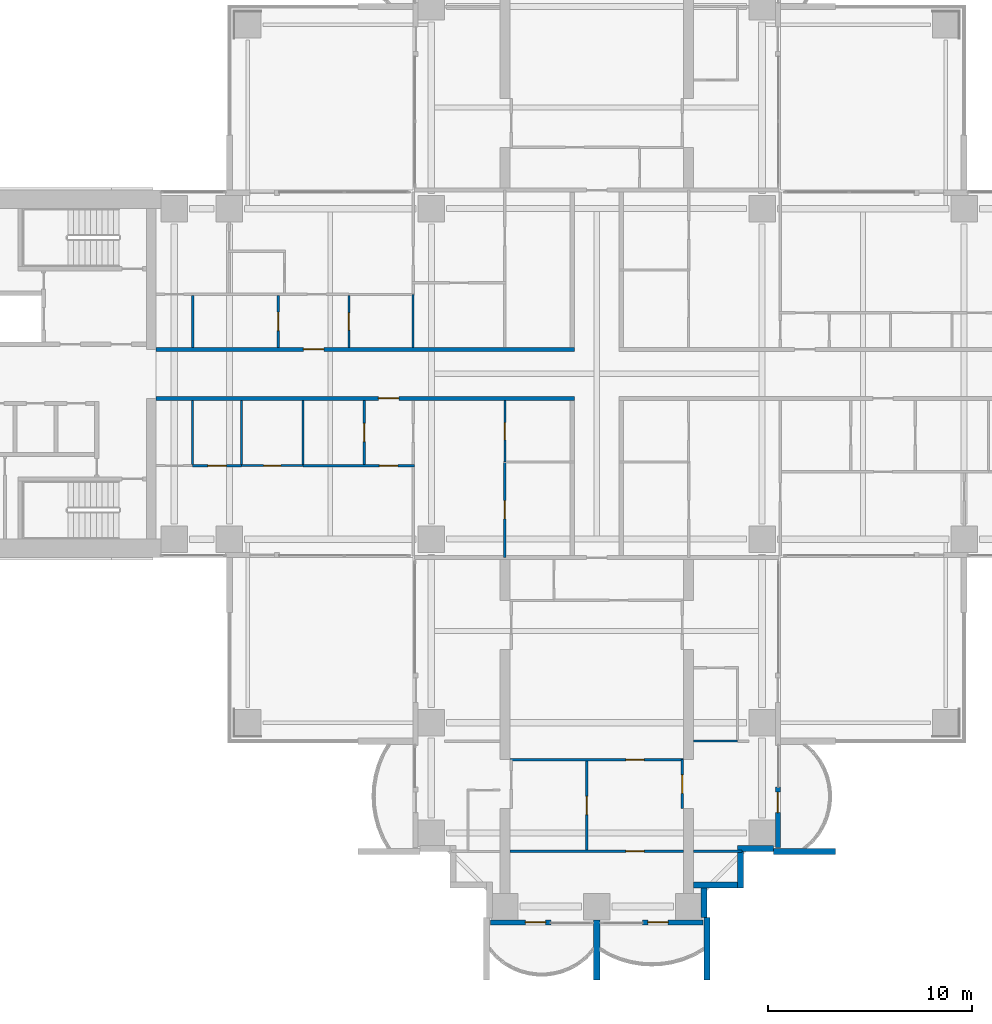
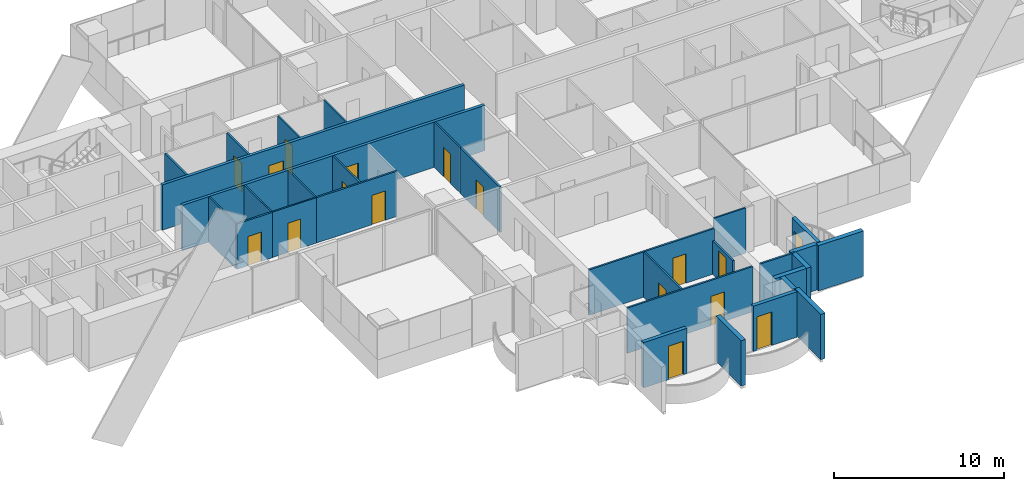
# One storey, part 12 of 23: 31 walls, 17 doors, 17 openings.
"""IFC4 building model written with IfcOpenShell, lengths in metres."""

from ifc_helpers import new_model, si_unit, direction, frame, frame_2d, origin, place, context, subcontext, project, spatial, rectangle, extrude, material, layer, layer_set, type_object, element, fill, save


model = new_model("IFC4")

# Units and contexts
model_context = context("Model", 3, precision=1e-05, world=origin(), true_north=direction((0.0, 1.0)))
body_context = subcontext(model_context, "Body", "Model", "MODEL_VIEW")
ifc_project = project(units=[si_unit("LENGTHUNIT", "METRE"), si_unit("AREAUNIT", "SQUARE_METRE"), si_unit("VOLUMEUNIT", "CUBIC_METRE"), si_unit("PLANEANGLEUNIT", "RADIAN"), si_unit("MASSUNIT", "GRAM", prefix="KILO")], contexts=[model_context])

# Site, building, storey
site_placement = place(None, origin())
site = spatial("IfcSite", under=ifc_project, at=site_placement, CompositionType="ELEMENT")
building_placement = place(site_placement, origin())
building = spatial("IfcBuilding", under=site, at=building_placement, Name="Perihelion Cross Residences", CompositionType="ELEMENT")
storey_placement = place(building_placement, frame((0.0, 0.0, 36.5)))
storey = spatial("IfcBuildingStorey", under=building, at=storey_placement, Name="L05", CompositionType="ELEMENT", Elevation=36.5)

# Wall, opening, door
ifc_material_1 = material(Name="Plasterboard partition")
ifc_layer_1 = layer(ifc_material_1, 0.199951171875)
ifc_layer_set_1 = layer_set([ifc_layer_1], Name="Apartment separation wall 200")
wall_type_1 = type_object("IfcWallType", Name="Apartment separation wall 200", PredefinedType="PARTITIONING", material=ifc_layer_set_1)
wall_1_placement = place(storey_placement, frame((-21.60009765625, 1.199951171875, 0.0), z_axis=(0.0, 0.0, 1.0), x_axis=(1.0, 0.0, 0.0)))
wall_1 = element("IfcWall", 1, at=wall_1_placement, inside=storey, type_object=wall_type_1, Name="Partition L05 W005", PredefinedType="PARTITIONING", context=body_context, shape_type="SweptSolid", body=[
    extrude(rectangle(XDim=20.5, YDim=0.199951171875, at=frame_2d((10.25, 0.0))), origin(), (0.0, 0.0, 1.0), 3.25),
])
opening_1_placement = place(wall_1_placement, frame((7.22509765625, 0.0, 0.0)))
opening_1 = element("IfcOpeningElement", 2, at=opening_1_placement, cuts=wall_1, Name="Opening L05.A52", PredefinedType="OPENING", context=body_context, shape_type="SweptSolid", body=[
    extrude(rectangle(XDim=1.0, YDim=2.10009765625, at=frame_2d((0.5, 1.050048828125))), frame((0.0, 0.10986328125, 0.0), z_axis=(0.0, -1.0, 0.0), x_axis=(1.0, 0.0, 0.0)), (0.0, 0.0, 1.0), 0.219970703125),
])
ifc_material_2 = material(Name="Timber door leaf", Category="wood")
door_type_1 = type_object("IfcDoorType", Name="Flat entrance door 1000 x 2100", OperationType="SINGLE_SWING_LEFT", PredefinedType="DOOR", material=ifc_material_2)
door_1_placement = place(opening_1_placement, origin())
door_1 = element("IfcDoor", 3, at=door_1_placement, inside=storey, type_object=door_type_1, Name="Door L05.A52", OperationType="SINGLE_SWING_RIGHT", OverallHeight=2.10009765625, OverallWidth=1.0, PredefinedType="DOOR", context=body_context, shape_type="SweptSolid", body=[
    extrude(rectangle(XDim=1.0, YDim=2.10009765625, at=frame_2d((0.5, 1.050048828125))), frame((0.0, 0.02490234375, 0.0), z_axis=(0.0, -1.0, 0.0), x_axis=(1.0, 0.0, 0.0)), (0.0, 0.0, 1.0), 0.050048828125),
])
fill(opening_1, door_1)

wall_2_placement = place(storey_placement, frame((-1.10009765625, -1.199951171875, 0.0), z_axis=(0.0, 0.0, 1.0), x_axis=(-1.0, 0.0, 0.0)))
wall_2 = element("IfcWall", 4, at=wall_2_placement, inside=storey, type_object=wall_type_1, Name="Partition L05 W007", PredefinedType="PARTITIONING", context=body_context, shape_type="SweptSolid", body=[
    extrude(rectangle(XDim=20.5, YDim=0.199951171875, at=frame_2d((10.25, 0.0))), origin(), (0.0, 0.0, 1.0), 3.25),
])
opening_2_placement = place(wall_2_placement, frame((8.60009765625, 0.0, 0.0)))
opening_2 = element("IfcOpeningElement", 5, at=opening_2_placement, cuts=wall_2, Name="Opening L05.A53", PredefinedType="OPENING", context=body_context, shape_type="SweptSolid", body=[
    extrude(rectangle(XDim=1.0, YDim=2.10009765625, at=frame_2d((0.5, 1.050048828125))), frame((0.0, 0.10986328125, 0.0), z_axis=(0.0, -1.0, 0.0), x_axis=(1.0, 0.0, 0.0)), (0.0, 0.0, 1.0), 0.219970703125),
])
door_2_placement = place(opening_2_placement, origin())
door_2 = element("IfcDoor", 6, at=door_2_placement, inside=storey, type_object=door_type_1, Name="Door L05.A53", OperationType="SINGLE_SWING_LEFT", OverallHeight=2.10009765625, OverallWidth=1.0, PredefinedType="DOOR", context=body_context, shape_type="SweptSolid", body=[
    extrude(rectangle(XDim=1.0, YDim=2.10009765625, at=frame_2d((0.5, 1.050048828125))), frame((0.0, 0.02490234375, 0.0), z_axis=(0.0, -1.0, 0.0), x_axis=(1.0, 0.0, 0.0)), (0.0, 0.0, 1.0), 0.050048828125),
])
fill(opening_2, door_2)

ifc_material_3 = material(Name="Concrete C30/37, bronze-clad", Category="concrete")
ifc_layer_2 = layer(ifc_material_3, 0.25)
ifc_layer_set_2 = layer_set([ifc_layer_2], Name="Bronze-clad pier wall 250")
wall_type_2 = type_object("IfcWallType", Name="Bronze-clad pier wall 250", PredefinedType="SOLIDWALL", material=ifc_layer_set_2)
wall_3_placement = place(storey_placement, frame((-5.199951171875, -26.875, 0.0), z_axis=(0.0, 0.0, 1.0), x_axis=(1.0, 0.0, 0.0)))
wall_3 = element("IfcWall", 7, at=wall_3_placement, inside=storey, type_object=wall_type_2, Name="Wall FW1 L05 south tip south bay 1 pier", PredefinedType="SOLIDWALL", context=body_context, shape_type="SweptSolid", body=[
    extrude(rectangle(XDim=2.949951171875, YDim=0.25, at=frame_2d((1.47509765625, 0.0))), origin(), (0.0, 0.0, 1.0), 3.25),
])
opening_3_placement = place(wall_3_placement, frame((1.699951171875, 0.0, 0.0)))
opening_3 = element("IfcOpeningElement", 8, at=opening_3_placement, cuts=wall_3, Name="Opening L05.E12", PredefinedType="OPENING", context=body_context, shape_type="SweptSolid", body=[
    extrude(rectangle(XDim=1.0, YDim=2.39990234375, at=frame_2d((0.5, 1.199951171875))), frame((0.0, 0.135009765625, 0.0), z_axis=(0.0, -1.0, 0.0), x_axis=(1.0, 0.0, 0.0)), (0.0, 0.0, 1.0), 0.27001953125),
])
ifc_material_4 = material(Name="Bronze anodised aluminium, glazed", Category="aluminium")
door_type_2 = type_object("IfcDoorType", Name="Balcony door 1000 x 2400", OperationType="NOTDEFINED", PredefinedType="DOOR", material=ifc_material_4)
door_3_placement = place(opening_3_placement, origin())
door_3 = element("IfcDoor", 9, at=door_3_placement, inside=storey, type_object=door_type_2, Name="Door L05.E12 south tip south bay 1", OperationType="SINGLE_SWING_LEFT", OverallHeight=2.39990234375, OverallWidth=1.0, PredefinedType="DOOR", context=body_context, shape_type="SweptSolid", body=[
    extrude(rectangle(XDim=1.0, YDim=2.39990234375, at=frame_2d((0.5, 1.199951171875))), frame((0.0, 0.02490234375, 0.0), z_axis=(0.0, -1.0, 0.0), x_axis=(1.0, 0.0, 0.0)), (0.0, 0.0, 1.0), 0.050048828125),
])
fill(opening_3, door_3)

wall_4_placement = place(storey_placement, frame((2.25, -26.875, 0.0), z_axis=(0.0, 0.0, 1.0), x_axis=(1.0, 0.0, 0.0)))
wall_4 = element("IfcWall", 10, at=wall_4_placement, inside=storey, type_object=wall_type_2, Name="Wall FW1 L05 south tip south bay 2 pier", PredefinedType="SOLIDWALL", context=body_context, shape_type="SweptSolid", body=[
    extrude(rectangle(XDim=2.949951171875, YDim=0.25, at=frame_2d((1.47509765625, 0.0))), origin(), (0.0, 0.0, 1.0), 3.25),
])
opening_4_placement = place(wall_4_placement, frame((0.25, 0.0, 0.0)))
opening_4 = element("IfcOpeningElement", 11, at=opening_4_placement, cuts=wall_4, Name="Opening L05.E13", PredefinedType="OPENING", context=body_context, shape_type="SweptSolid", body=[
    extrude(rectangle(XDim=1.0, YDim=2.39990234375, at=frame_2d((0.5, 1.199951171875))), frame((0.0, 0.135009765625, 0.0), z_axis=(0.0, -1.0, 0.0), x_axis=(1.0, 0.0, 0.0)), (0.0, 0.0, 1.0), 0.27001953125),
])
door_4_placement = place(opening_4_placement, origin())
door_4 = element("IfcDoor", 12, at=door_4_placement, inside=storey, type_object=door_type_2, Name="Door L05.E13 south tip south bay 2", OperationType="SINGLE_SWING_RIGHT", OverallHeight=2.39990234375, OverallWidth=1.0, PredefinedType="DOOR", context=body_context, shape_type="SweptSolid", body=[
    extrude(rectangle(XDim=1.0, YDim=2.39990234375, at=frame_2d((0.5, 1.199951171875))), frame((0.0, 0.02490234375, 0.0), z_axis=(0.0, -1.0, 0.0), x_axis=(1.0, 0.0, 0.0)), (0.0, 0.0, 1.0), 0.050048828125),
])
fill(opening_4, door_4)

wall_5_placement = place(storey_placement, frame((8.875, -23.199951171875, 0.0), z_axis=(0.0, 0.0, 1.0), x_axis=(0.0, 1.0, 0.0)))
wall_5 = element("IfcWall", 13, at=wall_5_placement, inside=storey, type_object=wall_type_2, Name="Wall FW1 L05 south side east bay 1 pier", PredefinedType="SOLIDWALL", context=body_context, shape_type="SweptSolid", body=[
    extrude(rectangle(XDim=2.949951171875, YDim=0.25, at=frame_2d((1.47509765625, 0.0))), origin(), (0.0, 0.0, 1.0), 3.25),
])
opening_5_placement = place(wall_5_placement, frame((1.699951171875, 0.0, 0.0)))
opening_5 = element("IfcOpeningElement", 14, at=opening_5_placement, cuts=wall_5, Name="Opening L05.E14", PredefinedType="OPENING", context=body_context, shape_type="SweptSolid", body=[
    extrude(rectangle(XDim=1.0, YDim=2.39990234375, at=frame_2d((0.5, 1.199951171875))), frame((0.0, 0.135009765625, 0.0), z_axis=(0.0, -1.0, 0.0), x_axis=(1.0, 0.0, 0.0)), (0.0, 0.0, 1.0), 0.27001953125),
])
door_5_placement = place(opening_5_placement, origin())
door_5 = element("IfcDoor", 15, at=door_5_placement, inside=storey, type_object=door_type_2, Name="Door L05.E14 south side east bay 1", OperationType="SINGLE_SWING_LEFT", OverallHeight=2.39990234375, OverallWidth=1.0, PredefinedType="DOOR", context=body_context, shape_type="SweptSolid", body=[
    extrude(rectangle(XDim=1.0, YDim=2.39990234375, at=frame_2d((0.5, 1.199951171875))), frame((0.0, 0.02490234375, 0.0), z_axis=(0.0, -1.0, 0.0), x_axis=(1.0, 0.0, 0.0)), (0.0, 0.0, 1.0), 0.050048828125),
])
fill(opening_5, door_5)

# Walls
ifc_material_5 = material(Name="Concrete C30/37, bronze-clad", Category="concrete")
ifc_layer_3 = layer(ifc_material_5, 0.300048828125)
ifc_layer_set_3 = layer_set([ifc_layer_3], Name="Bronze-clad serration wall 300")
wall_type_3 = type_object("IfcWallType", Name="Bronze-clad serration wall 300", PredefinedType="SOLIDWALL", material=ifc_layer_set_3)
wall_6_placement = place(storey_placement, frame((5.25, -26.64990234375, 0.0), z_axis=(0.0, 0.0, 1.0), x_axis=(0.0, 1.0, 0.0)))
element("IfcWall", 16, at=wall_6_placement, inside=storey, type_object=wall_type_3, Name="Wall SR1 L05 south corner south-east 1", PredefinedType="SOLIDWALL", context=body_context, shape_type="SweptSolid", body=[
    extrude(rectangle(XDim=1.449951171875, YDim=0.300048828125, at=frame_2d((0.72509765625, 0.0))), origin(), (0.0, 0.0, 1.0), 3.25),
])
wall_7_placement = place(storey_placement, frame((4.75, -25.050048828125, 0.0), z_axis=(0.0, 0.0, 1.0), x_axis=(1.0, 0.0, 0.0)))
element("IfcWall", 17, at=wall_7_placement, inside=storey, type_object=wall_type_3, Name="Wall SR1 L05 south corner south-east 2", PredefinedType="SOLIDWALL", context=body_context, shape_type="SweptSolid", body=[
    extrude(rectangle(XDim=2.14990234375, YDim=0.300048828125, at=frame_2d((1.074951171875, 0.0))), origin(), (0.0, 0.0, 1.0), 3.25),
])
wall_8_placement = place(storey_placement, frame((7.050048828125, -25.199951171875, 0.0), z_axis=(0.0, 0.0, 1.0), x_axis=(0.0, 1.0, 0.0)))
element("IfcWall", 18, at=wall_8_placement, inside=storey, type_object=wall_type_3, Name="Wall SR1 L05 south corner south-east 3", PredefinedType="SOLIDWALL", context=body_context, shape_type="SweptSolid", body=[
    extrude(rectangle(XDim=1.800048828125, YDim=0.300048828125, at=frame_2d((0.89990234375, 0.0))), origin(), (0.0, 0.0, 1.0), 3.25),
])
wall_9_placement = place(storey_placement, frame((6.89990234375, -23.25, 0.0), z_axis=(0.0, 0.0, 1.0), x_axis=(1.0, 0.0, 0.0)))
element("IfcWall", 19, at=wall_9_placement, inside=storey, type_object=wall_type_3, Name="Wall SR1 L05 south corner south-east 4", PredefinedType="SOLIDWALL", context=body_context, shape_type="SweptSolid", body=[
    extrude(rectangle(XDim=1.75, YDim=0.300048828125, at=frame_2d((0.875, 0.0))), origin(), (0.0, 0.0, 1.0), 3.25),
])

# Wall, opening, door
ifc_material_6 = material(Name="Plasterboard partition")
ifc_layer_4 = layer(ifc_material_6, 0.1201171875)
ifc_layer_set_4 = layer_set([ifc_layer_4], Name="Infill panel 120")
wall_type_4 = type_object("IfcWallType", Name="Infill panel 120", PredefinedType="PARTITIONING", material=ifc_layer_set_4)
wall_10_placement = place(storey_placement, frame((4.18994140625, -18.89990234375, 0.0), z_axis=(0.0, 0.0, 1.0), x_axis=(0.0, -1.0, 0.0)))
wall_10 = element("IfcWall", 20, at=wall_10_placement, inside=storey, type_object=wall_type_4, Name="Partition L05 WI06", PredefinedType="PARTITIONING", context=body_context, shape_type="SweptSolid", body=[
    extrude(rectangle(XDim=2.400146484375, YDim=0.1201171875, at=frame_2d((1.2001953125, 0.0))), origin(), (0.0, 0.0, 1.0), 2.39990234375),
])
opening_6_placement = place(wall_10_placement, frame((0.75, 0.0, 0.0)))
opening_6 = element("IfcOpeningElement", 21, at=opening_6_placement, cuts=wall_10, Name="Opening L05.A59", PredefinedType="OPENING", context=body_context, shape_type="SweptSolid", body=[
    extrude(rectangle(XDim=0.89990234375, YDim=2.10009765625, at=frame_2d((0.449951171875, 1.050048828125))), frame((0.0, 0.070068359375, 0.0), z_axis=(0.0, -1.0, 0.0), x_axis=(1.0, 0.0, 0.0)), (0.0, 0.0, 1.0), 0.14013671875),
])
ifc_material_7 = material(Name="Timber door leaf", Category="wood")
door_type_3 = type_object("IfcDoorType", Name="Interior room door 900 x 2100", OperationType="SINGLE_SWING_LEFT", PredefinedType="DOOR", material=ifc_material_7)
door_6_placement = place(opening_6_placement, origin())
door_6 = element("IfcDoor", 22, at=door_6_placement, inside=storey, type_object=door_type_3, Name="Door L05.A59", OperationType="SINGLE_SWING_RIGHT", OverallHeight=2.10009765625, OverallWidth=0.89990234375, PredefinedType="DOOR", context=body_context, shape_type="SweptSolid", body=[
    extrude(rectangle(XDim=0.89990234375, YDim=2.10009765625, at=frame_2d((0.449951171875, 1.050048828125))), frame((0.0, 0.02490234375, 0.0), z_axis=(0.0, -1.0, 0.0), x_axis=(1.0, 0.0, 0.0)), (0.0, 0.0, 1.0), 0.050048828125),
])
fill(opening_6, door_6)

ifc_material_8 = material(Name="Plasterboard partition")
ifc_layer_5 = layer(ifc_material_8, 0.1201171875)
ifc_layer_set_5 = layer_set([ifc_layer_5], Name="Partition wall 120")
wall_type_5 = type_object("IfcWallType", Name="Partition wall 120", PredefinedType="PARTITIONING", material=ifc_layer_set_5)
wall_11_placement = place(storey_placement, frame((-15.60009765625, 1.300048828125, 0.0), z_axis=(0.0, 0.0, 1.0), x_axis=(0.0, 1.0, 0.0)))
wall_11 = element("IfcWall", 23, at=wall_11_placement, inside=storey, type_object=wall_type_5, Name="Partition L05 W036", PredefinedType="PARTITIONING", context=body_context, shape_type="SweptSolid", body=[
    extrude(rectangle(XDim=2.5400390625, YDim=0.1201171875, at=frame_2d((1.27001953125, 0.0))), origin(), (0.0, 0.0, 1.0), 3.25),
])
opening_7_placement = place(wall_11_placement, frame((0.820068359375, 0.0, 0.0)))
opening_7 = element("IfcOpeningElement", 24, at=opening_7_placement, cuts=wall_11, Name="Opening L05.A18", PredefinedType="OPENING", context=body_context, shape_type="SweptSolid", body=[
    extrude(rectangle(XDim=0.89990234375, YDim=2.10009765625, at=frame_2d((0.449951171875, 1.050048828125))), frame((0.0, 0.070068359375, 0.0), z_axis=(0.0, -1.0, 0.0), x_axis=(1.0, 0.0, 0.0)), (0.0, 0.0, 1.0), 0.14013671875),
])
door_7_placement = place(opening_7_placement, origin())
door_7 = element("IfcDoor", 25, at=door_7_placement, inside=storey, type_object=door_type_3, Name="Door L05.A18", OperationType="SINGLE_SWING_RIGHT", OverallHeight=2.10009765625, OverallWidth=0.89990234375, PredefinedType="DOOR", context=body_context, shape_type="SweptSolid", body=[
    extrude(rectangle(XDim=0.89990234375, YDim=2.10009765625, at=frame_2d((0.449951171875, 1.050048828125))), frame((0.0, 0.02490234375, 0.0), z_axis=(0.0, -1.0, 0.0), x_axis=(1.0, 0.0, 0.0)), (0.0, 0.0, 1.0), 0.050048828125),
])
fill(opening_7, door_7)

# Wall
wall_12_placement = place(storey_placement, frame((-19.800048828125, 1.300048828125, 0.0), z_axis=(0.0, 0.0, 1.0), x_axis=(0.0, 1.0, 0.0)))
element("IfcWall", 26, at=wall_12_placement, inside=storey, type_object=wall_type_5, Name="Partition L05 W038", PredefinedType="PARTITIONING", context=body_context, shape_type="SweptSolid", body=[
    extrude(rectangle(XDim=2.5400390625, YDim=0.1201171875, at=frame_2d((1.27001953125, 0.0))), origin(), (0.0, 0.0, 1.0), 3.25),
])

# Wall, opening, door
wall_13_placement = place(storey_placement, frame((-11.39990234375, -4.43994140625, 0.0), z_axis=(0.0, 0.0, 1.0), x_axis=(0.0, 1.0, 0.0)))
wall_13 = element("IfcWall", 27, at=wall_13_placement, inside=storey, type_object=wall_type_5, Name="Partition L05 W045", PredefinedType="PARTITIONING", context=body_context, shape_type="SweptSolid", body=[
    extrude(rectangle(XDim=3.139892578125, YDim=0.1201171875, at=frame_2d((1.56982421875, 0.0))), origin(), (0.0, 0.0, 1.0), 3.25),
])
opening_8_placement = place(wall_13_placement, frame((1.1201171875, 0.0, 0.0)))
opening_8 = element("IfcOpeningElement", 28, at=opening_8_placement, cuts=wall_13, Name="Opening L05.A27", PredefinedType="OPENING", context=body_context, shape_type="SweptSolid", body=[
    extrude(rectangle(XDim=0.89990234375, YDim=2.10009765625, at=frame_2d((0.449951171875, 1.050048828125))), frame((0.0, 0.070068359375, 0.0), z_axis=(0.0, -1.0, 0.0), x_axis=(1.0, 0.0, 0.0)), (0.0, 0.0, 1.0), 0.14013671875),
])
door_8_placement = place(opening_8_placement, origin())
door_8 = element("IfcDoor", 29, at=door_8_placement, inside=storey, type_object=door_type_3, Name="Door L05.A27", OperationType="SINGLE_SWING_RIGHT", OverallHeight=2.10009765625, OverallWidth=0.89990234375, PredefinedType="DOOR", context=body_context, shape_type="SweptSolid", body=[
    extrude(rectangle(XDim=0.89990234375, YDim=2.10009765625, at=frame_2d((0.449951171875, 1.050048828125))), frame((0.0, 0.02490234375, 0.0), z_axis=(0.0, -1.0, 0.0), x_axis=(1.0, 0.0, 0.0)), (0.0, 0.0, 1.0), 0.050048828125),
])
fill(opening_8, door_8)

wall_14_placement = place(storey_placement, frame((-8.93994140625, -4.5, 0.0), z_axis=(0.0, 0.0, 1.0), x_axis=(-1.0, 0.0, 0.0)))
wall_14 = element("IfcWall", 30, at=wall_14_placement, inside=storey, type_object=wall_type_5, Name="Partition L05 W046", PredefinedType="PARTITIONING", context=body_context, shape_type="SweptSolid", body=[
    extrude(rectangle(XDim=5.4599609375, YDim=0.1201171875, at=frame_2d((2.72998046875, 0.0))), origin(), (0.0, 0.0, 1.0), 3.25),
])
opening_9_placement = place(wall_14_placement, frame((0.81005859375, 0.0, 0.0)))
opening_9 = element("IfcOpeningElement", 31, at=opening_9_placement, cuts=wall_14, Name="Opening L05.A32", PredefinedType="OPENING", context=body_context, shape_type="SweptSolid", body=[
    extrude(rectangle(XDim=0.89990234375, YDim=2.10009765625, at=frame_2d((0.449951171875, 1.050048828125))), frame((0.0, 0.070068359375, 0.0), z_axis=(0.0, -1.0, 0.0), x_axis=(1.0, 0.0, 0.0)), (0.0, 0.0, 1.0), 0.14013671875),
])
door_9_placement = place(opening_9_placement, origin())
door_9 = element("IfcDoor", 32, at=door_9_placement, inside=storey, type_object=door_type_3, Name="Door L05.A32", OperationType="SINGLE_SWING_RIGHT", OverallHeight=2.10009765625, OverallWidth=0.89990234375, PredefinedType="DOOR", context=body_context, shape_type="SweptSolid", body=[
    extrude(rectangle(XDim=0.89990234375, YDim=2.10009765625, at=frame_2d((0.449951171875, 1.050048828125))), frame((0.0, 0.02490234375, 0.0), z_axis=(0.0, -1.0, 0.0), x_axis=(1.0, 0.0, 0.0)), (0.0, 0.0, 1.0), 0.050048828125),
])
fill(opening_9, door_9)

wall_15_placement = place(storey_placement, frame((-17.39990234375, -4.5, 0.0), z_axis=(0.0, 0.0, 1.0), x_axis=(-1.0, 0.0, 0.0)))
wall_15 = element("IfcWall", 33, at=wall_15_placement, inside=storey, type_object=wall_type_5, Name="Partition L05 W052", PredefinedType="PARTITIONING", context=body_context, shape_type="SweptSolid", body=[
    extrude(rectangle(XDim=2.400146484375, YDim=0.1201171875, at=frame_2d((1.2001953125, 0.0))), origin(), (0.0, 0.0, 1.0), 3.25),
])
opening_10_placement = place(wall_15_placement, frame((0.75, 0.0, 0.0)))
opening_10 = element("IfcOpeningElement", 34, at=opening_10_placement, cuts=wall_15, Name="Opening L05.A33", PredefinedType="OPENING", context=body_context, shape_type="SweptSolid", body=[
    extrude(rectangle(XDim=0.89990234375, YDim=2.10009765625, at=frame_2d((0.449951171875, 1.050048828125))), frame((0.0, 0.070068359375, 0.0), z_axis=(0.0, -1.0, 0.0), x_axis=(1.0, 0.0, 0.0)), (0.0, 0.0, 1.0), 0.14013671875),
])
door_10_placement = place(opening_10_placement, origin())
door_10 = element("IfcDoor", 35, at=door_10_placement, inside=storey, type_object=door_type_3, Name="Door L05.A33", OperationType="SINGLE_SWING_RIGHT", OverallHeight=2.10009765625, OverallWidth=0.89990234375, PredefinedType="DOOR", context=body_context, shape_type="SweptSolid", body=[
    extrude(rectangle(XDim=0.89990234375, YDim=2.10009765625, at=frame_2d((0.449951171875, 1.050048828125))), frame((0.0, 0.02490234375, 0.0), z_axis=(0.0, -1.0, 0.0), x_axis=(1.0, 0.0, 0.0)), (0.0, 0.0, 1.0), 0.050048828125),
])
fill(opening_10, door_10)

wall_16_placement = place(storey_placement, frame((-4.5, -4.320068359375, 0.0), z_axis=(0.0, 0.0, 1.0), x_axis=(0.0, -1.0, 0.0)))
wall_16 = element("IfcWall", 36, at=wall_16_placement, inside=storey, type_object=wall_type_5, Name="Partition L05 W055", PredefinedType="PARTITIONING", context=body_context, shape_type="SweptSolid", body=[
    extrude(rectangle(XDim=4.679931640625, YDim=0.1201171875, at=frame_2d((2.33984375, 0.0))), origin(), (0.0, 0.0, 1.0), 3.25),
])
opening_11_placement = place(wall_16_placement, frame((1.889892578125, 0.0, 0.0)))
opening_11 = element("IfcOpeningElement", 37, at=opening_11_placement, cuts=wall_16, Name="Opening L05.A29", PredefinedType="OPENING", context=body_context, shape_type="SweptSolid", body=[
    extrude(rectangle(XDim=0.89990234375, YDim=2.10009765625, at=frame_2d((0.449951171875, 1.050048828125))), frame((0.0, 0.070068359375, 0.0), z_axis=(0.0, -1.0, 0.0), x_axis=(1.0, 0.0, 0.0)), (0.0, 0.0, 1.0), 0.14013671875),
])
door_11_placement = place(opening_11_placement, origin())
door_11 = element("IfcDoor", 38, at=door_11_placement, inside=storey, type_object=door_type_3, Name="Door L05.A29", OperationType="SINGLE_SWING_RIGHT", OverallHeight=2.10009765625, OverallWidth=0.89990234375, PredefinedType="DOOR", context=body_context, shape_type="SweptSolid", body=[
    extrude(rectangle(XDim=0.89990234375, YDim=2.10009765625, at=frame_2d((0.449951171875, 1.050048828125))), frame((0.0, 0.02490234375, 0.0), z_axis=(0.0, -1.0, 0.0), x_axis=(1.0, 0.0, 0.0)), (0.0, 0.0, 1.0), 0.050048828125),
])
fill(opening_11, door_11)

wall_17_placement = place(storey_placement, frame((4.25, -18.89990234375, 0.0), z_axis=(0.0, 0.0, 1.0), x_axis=(-1.0, 0.0, 0.0)))
wall_17 = element("IfcWall", 39, at=wall_17_placement, inside=storey, type_object=wall_type_5, Name="Partition L05 W075", PredefinedType="PARTITIONING", context=body_context, shape_type="SweptSolid", body=[
    extrude(rectangle(XDim=8.5, YDim=0.1201171875, at=frame_2d((4.25, 0.0))), origin(), (0.0, 0.0, 1.0), 3.25),
])
opening_12_placement = place(wall_17_placement, frame((1.925048828125, 0.0, 0.0)))
opening_12 = element("IfcOpeningElement", 40, at=opening_12_placement, cuts=wall_17, Name="Opening L05.A45", PredefinedType="OPENING", context=body_context, shape_type="SweptSolid", body=[
    extrude(rectangle(XDim=0.89990234375, YDim=2.10009765625, at=frame_2d((0.449951171875, 1.050048828125))), frame((0.0, 0.070068359375, 0.0), z_axis=(0.0, -1.0, 0.0), x_axis=(1.0, 0.0, 0.0)), (0.0, 0.0, 1.0), 0.14013671875),
])
door_12_placement = place(opening_12_placement, origin())
door_12 = element("IfcDoor", 41, at=door_12_placement, inside=storey, type_object=door_type_3, Name="Door L05.A45", OperationType="SINGLE_SWING_RIGHT", OverallHeight=2.10009765625, OverallWidth=0.89990234375, PredefinedType="DOOR", context=body_context, shape_type="SweptSolid", body=[
    extrude(rectangle(XDim=0.89990234375, YDim=2.10009765625, at=frame_2d((0.449951171875, 1.050048828125))), frame((0.0, 0.02490234375, 0.0), z_axis=(0.0, -1.0, 0.0), x_axis=(1.0, 0.0, 0.0)), (0.0, 0.0, 1.0), 0.050048828125),
])
fill(opening_12, door_12)

wall_18_placement = place(storey_placement, frame((-0.5, -23.340087890625, 0.0), z_axis=(0.0, 0.0, 1.0), x_axis=(0.0, 1.0, 0.0)))
wall_18 = element("IfcWall", 42, at=wall_18_placement, inside=storey, type_object=wall_type_5, Name="Partition L05 W076", PredefinedType="PARTITIONING", context=body_context, shape_type="SweptSolid", body=[
    extrude(rectangle(XDim=4.380126953125, YDim=0.1201171875, at=frame_2d((2.18994140625, 0.0))), origin(), (0.0, 0.0, 1.0), 3.25),
])
opening_13_placement = place(wall_18_placement, frame((1.739990234375, 0.0, 0.0)))
opening_13 = element("IfcOpeningElement", 43, at=opening_13_placement, cuts=wall_18, Name="Opening L05.A46", PredefinedType="OPENING", context=body_context, shape_type="SweptSolid", body=[
    extrude(rectangle(XDim=0.89990234375, YDim=2.10009765625, at=frame_2d((0.449951171875, 1.050048828125))), frame((0.0, 0.070068359375, 0.0), z_axis=(0.0, -1.0, 0.0), x_axis=(1.0, 0.0, 0.0)), (0.0, 0.0, 1.0), 0.14013671875),
])
door_13_placement = place(opening_13_placement, origin())
door_13 = element("IfcDoor", 44, at=door_13_placement, inside=storey, type_object=door_type_3, Name="Door L05.A46", OperationType="SINGLE_SWING_LEFT", OverallHeight=2.10009765625, OverallWidth=0.89990234375, PredefinedType="DOOR", context=body_context, shape_type="SweptSolid", body=[
    extrude(rectangle(XDim=0.89990234375, YDim=2.10009765625, at=frame_2d((0.449951171875, 1.050048828125))), frame((0.0, 0.02490234375, 0.0), z_axis=(0.0, -1.0, 0.0), x_axis=(1.0, 0.0, 0.0)), (0.0, 0.0, 1.0), 0.050048828125),
])
fill(opening_13, door_13)

wall_19_placement = place(storey_placement, frame((4.25, -23.39990234375, 0.0), z_axis=(0.0, 0.0, 1.0), x_axis=(-1.0, 0.0, 0.0)))
wall_19 = element("IfcWall", 45, at=wall_19_placement, inside=storey, type_object=wall_type_5, Name="Partition L05 W077", PredefinedType="PARTITIONING", context=body_context, shape_type="SweptSolid", body=[
    extrude(rectangle(XDim=8.5, YDim=0.1201171875, at=frame_2d((4.25, 0.0))), origin(), (0.0, 0.0, 1.0), 3.25),
])
opening_14_placement = place(wall_19_placement, frame((1.925048828125, 0.0, 0.0)))
opening_14 = element("IfcOpeningElement", 46, at=opening_14_placement, cuts=wall_19, Name="Opening L05.A47", PredefinedType="OPENING", context=body_context, shape_type="SweptSolid", body=[
    extrude(rectangle(XDim=0.89990234375, YDim=2.10009765625, at=frame_2d((0.449951171875, 1.050048828125))), frame((0.0, 0.070068359375, 0.0), z_axis=(0.0, -1.0, 0.0), x_axis=(1.0, 0.0, 0.0)), (0.0, 0.0, 1.0), 0.14013671875),
])
door_14_placement = place(opening_14_placement, origin())
door_14 = element("IfcDoor", 47, at=door_14_placement, inside=storey, type_object=door_type_3, Name="Door L05.A47", OperationType="SINGLE_SWING_LEFT", OverallHeight=2.10009765625, OverallWidth=0.89990234375, PredefinedType="DOOR", context=body_context, shape_type="SweptSolid", body=[
    extrude(rectangle(XDim=0.89990234375, YDim=2.10009765625, at=frame_2d((0.449951171875, 1.050048828125))), frame((0.0, 0.02490234375, 0.0), z_axis=(0.0, -1.0, 0.0), x_axis=(1.0, 0.0, 0.0)), (0.0, 0.0, 1.0), 0.050048828125),
])
fill(opening_14, door_14)

# Walls
wall_20_placement = place(storey_placement, frame((7.1201171875, -23.39990234375, 0.0), z_axis=(0.0, 0.0, 1.0), x_axis=(-1.0, 0.0, 0.0)))
element("IfcWall", 48, at=wall_20_placement, inside=storey, type_object=wall_type_5, Name="Partition L05 W082", PredefinedType="PARTITIONING", context=body_context, shape_type="SweptSolid", body=[
    extrude(rectangle(XDim=2.3701171875, YDim=0.1201171875, at=frame_2d((1.18505859375, 0.0))), origin(), (0.0, 0.0, 1.0), 3.25),
])
ifc_material_9 = material(Name="Precast concrete C50/60", Category="concrete")
ifc_layer_6 = layer(ifc_material_9, 0.300048828125)
ifc_layer_set_6 = layer_set([ifc_layer_6], Name="Precast concrete C50/60 blade wall 300")
wall_type_6 = type_object("IfcWallType", Name="Precast concrete C50/60 blade wall 300", PredefinedType="SOLIDWALL", material=ifc_layer_set_6)
wall_21_placement = place(storey_placement, frame((0.0, -26.75, 0.0), z_axis=(0.0, 0.0, 1.0), x_axis=(0.0, -1.0, 0.0)))
element("IfcWall", 49, at=wall_21_placement, inside=storey, type_object=wall_type_6, Name="Wall BL1 L05 no. 9", PredefinedType="SOLIDWALL", context=body_context, shape_type="SweptSolid", body=[
    extrude(rectangle(XDim=2.949951171875, YDim=0.300048828125, at=frame_2d((1.47509765625, 0.0))), origin(), (0.0, 0.0, 1.0), 3.25),
])
for number, where, z_axis, x_axis, name in (
    (50, (5.39990234375, -26.64990234375, 0.0), (0.0, 0.0, 1.0), (0.0, -1.0, 0.0), "Wall BL1 L05 no. 13"),
    (51, (8.64990234375, -23.39990234375, 0.0), (0.0, 0.0, 1.0), (1.0, 0.0, 0.0), "Wall BL1 L05 no. 16"),
):
    element("IfcWall", number, at=place(storey_placement, frame(where, z_axis=z_axis, x_axis=x_axis)), inside=storey, type_object=wall_type_6, Name=name, PredefinedType="SOLIDWALL", context=body_context, shape_type="SweptSolid", body=[
        extrude(rectangle(XDim=3.050048828125, YDim=0.300048828125, at=frame_2d((1.52490234375, 0.0))), origin(), (0.0, 0.0, 1.0), 3.25),
    ])

# Wall, opening, door
ifc_material_10 = material(Name="Plasterboard partition")
ifc_layer_7 = layer(ifc_material_10, 0.10009765625)
ifc_layer_set_7 = layer_set([ifc_layer_7], Name="Wet room wall 100")
wall_type_7 = type_object("IfcWallType", Name="Wet room wall 100", PredefinedType="PARTITIONING", material=ifc_layer_set_7)
wall_22_placement = place(storey_placement, frame((-12.14990234375, 1.300048828125, 0.0), z_axis=(0.0, 0.0, 1.0), x_axis=(0.0, 1.0, 0.0)))
wall_22 = element("IfcWall", 52, at=wall_22_placement, inside=storey, type_object=wall_type_7, Name="Partition L05 W033", PredefinedType="PARTITIONING", context=body_context, shape_type="SweptSolid", body=[
    extrude(rectangle(XDim=2.5400390625, YDim=0.10009765625, at=frame_2d((1.27001953125, 0.0))), origin(), (0.0, 0.0, 1.0), 3.25),
])
opening_15_placement = place(wall_22_placement, frame((0.844970703125, 0.0, 0.0)))
opening_15 = element("IfcOpeningElement", 53, at=opening_15_placement, cuts=wall_22, Name="Opening L05.A22", PredefinedType="OPENING", context=body_context, shape_type="SweptSolid", body=[
    extrude(rectangle(XDim=0.85009765625, YDim=2.10009765625, at=frame_2d((0.425048828125, 1.050048828125))), frame((0.0, 0.06005859375, 0.0), z_axis=(0.0, -1.0, 0.0), x_axis=(1.0, 0.0, 0.0)), (0.0, 0.0, 1.0), 0.1201171875),
])
ifc_material_11 = material(Name="Timber door leaf", Category="wood")
door_type_4 = type_object("IfcDoorType", Name="Interior bathroom door 850 x 2100", OperationType="SINGLE_SWING_LEFT", PredefinedType="DOOR", material=ifc_material_11)
door_15_placement = place(opening_15_placement, origin())
door_15 = element("IfcDoor", 54, at=door_15_placement, inside=storey, type_object=door_type_4, Name="Door L05.A22", OperationType="SINGLE_SWING_LEFT", OverallHeight=2.10009765625, OverallWidth=0.85009765625, PredefinedType="DOOR", context=body_context, shape_type="SweptSolid", body=[
    extrude(rectangle(XDim=0.85009765625, YDim=2.10009765625, at=frame_2d((0.425048828125, 1.050048828125))), frame((0.0, 0.02490234375, 0.0), z_axis=(0.0, -1.0, 0.0), x_axis=(1.0, 0.0, 0.0)), (0.0, 0.0, 1.0), 0.050048828125),
])
fill(opening_15, door_15)

# Walls
wall_23_placement = place(storey_placement, frame((-9.0, 3.89990234375, 0.0), z_axis=(0.0, 0.0, 1.0), x_axis=(0.0, -1.0, 0.0)))
element("IfcWall", 55, at=wall_23_placement, inside=storey, type_object=wall_type_7, Name="Partition L05 W035", PredefinedType="PARTITIONING", context=body_context, shape_type="SweptSolid", body=[
    extrude(rectangle(XDim=2.599853515625, YDim=0.10009765625, at=frame_2d((1.2998046875, 0.0))), origin(), (0.0, 0.0, 1.0), 3.25),
])
for number, where, z_axis, x_axis, name in (
    (56, (-14.39990234375, -4.43994140625, 0.0), (0.0, 0.0, 1.0), (0.0, 1.0, 0.0), "Partition L05 W048"),
    (57, (-17.39990234375, -4.43994140625, 0.0), (0.0, 0.0, 1.0), (0.0, 1.0, 0.0), "Partition L05 W049"),
):
    element("IfcWall", number, at=place(storey_placement, frame(where, z_axis=z_axis, x_axis=x_axis)), inside=storey, type_object=wall_type_7, Name=name, PredefinedType="PARTITIONING", context=body_context, shape_type="SweptSolid", body=[
        extrude(rectangle(XDim=3.139892578125, YDim=0.10009765625, at=frame_2d((1.56982421875, 0.0))), origin(), (0.0, 0.0, 1.0), 3.25),
    ])

# Wall, opening, door
wall_24_placement = place(storey_placement, frame((-14.39990234375, -4.5, 0.0), z_axis=(0.0, 0.0, 1.0), x_axis=(-1.0, 0.0, 0.0)))
wall_24 = element("IfcWall", 58, at=wall_24_placement, inside=storey, type_object=wall_type_7, Name="Partition L05 W050", PredefinedType="PARTITIONING", context=body_context, shape_type="SweptSolid", body=[
    extrude(rectangle(XDim=3.0, YDim=0.10009765625, at=frame_2d((1.5, 0.0))), origin(), (0.0, 0.0, 1.0), 3.25),
])
opening_16_placement = place(wall_24_placement, frame((1.074951171875, 0.0, 0.0)))
opening_16 = element("IfcOpeningElement", 59, at=opening_16_placement, cuts=wall_24, Name="Opening L05.A26", PredefinedType="OPENING", context=body_context, shape_type="SweptSolid", body=[
    extrude(rectangle(XDim=0.85009765625, YDim=2.10009765625, at=frame_2d((0.425048828125, 1.050048828125))), frame((0.0, 0.06005859375, 0.0), z_axis=(0.0, -1.0, 0.0), x_axis=(1.0, 0.0, 0.0)), (0.0, 0.0, 1.0), 0.1201171875),
])
door_16_placement = place(opening_16_placement, origin())
door_16 = element("IfcDoor", 60, at=door_16_placement, inside=storey, type_object=door_type_4, Name="Door L05.A26", OperationType="SINGLE_SWING_LEFT", OverallHeight=2.10009765625, OverallWidth=0.85009765625, PredefinedType="DOOR", context=body_context, shape_type="SweptSolid", body=[
    extrude(rectangle(XDim=0.85009765625, YDim=2.10009765625, at=frame_2d((0.425048828125, 1.050048828125))), frame((0.0, 0.02490234375, 0.0), z_axis=(0.0, -1.0, 0.0), x_axis=(1.0, 0.0, 0.0)), (0.0, 0.0, 1.0), 0.050048828125),
])
fill(opening_16, door_16)

# Wall
wall_25_placement = place(storey_placement, frame((-19.800048828125, -4.43994140625, 0.0), z_axis=(0.0, 0.0, 1.0), x_axis=(0.0, 1.0, 0.0)))
element("IfcWall", 61, at=wall_25_placement, inside=storey, type_object=wall_type_7, Name="Partition L05 W051", PredefinedType="PARTITIONING", context=body_context, shape_type="SweptSolid", body=[
    extrude(rectangle(XDim=3.139892578125, YDim=0.10009765625, at=frame_2d((1.56982421875, 0.0))), origin(), (0.0, 0.0, 1.0), 3.25),
])

# Wall, opening, door
wall_26_placement = place(storey_placement, frame((-4.5, -1.300048828125, 0.0), z_axis=(0.0, 0.0, 1.0), x_axis=(0.0, -1.0, 0.0)))
wall_26 = element("IfcWall", 62, at=wall_26_placement, inside=storey, type_object=wall_type_7, Name="Partition L05 W054", PredefinedType="PARTITIONING", context=body_context, shape_type="SweptSolid", body=[
    extrude(rectangle(XDim=3.02001953125, YDim=0.10009765625, at=frame_2d((1.510009765625, 0.0))), origin(), (0.0, 0.0, 1.0), 3.25),
])
opening_17_placement = place(wall_26_placement, frame((1.0849609375, 0.0, 0.0)))
opening_17 = element("IfcOpeningElement", 63, at=opening_17_placement, cuts=wall_26, Name="Opening L05.A30", PredefinedType="OPENING", context=body_context, shape_type="SweptSolid", body=[
    extrude(rectangle(XDim=0.85009765625, YDim=2.10009765625, at=frame_2d((0.425048828125, 1.050048828125))), frame((0.0, 0.06005859375, 0.0), z_axis=(0.0, -1.0, 0.0), x_axis=(1.0, 0.0, 0.0)), (0.0, 0.0, 1.0), 0.1201171875),
])
door_17_placement = place(opening_17_placement, origin())
door_17 = element("IfcDoor", 64, at=door_17_placement, inside=storey, type_object=door_type_4, Name="Door L05.A30", OperationType="SINGLE_SWING_LEFT", OverallHeight=2.10009765625, OverallWidth=0.85009765625, PredefinedType="DOOR", context=body_context, shape_type="SweptSolid", body=[
    extrude(rectangle(XDim=0.85009765625, YDim=2.10009765625, at=frame_2d((0.425048828125, 1.050048828125))), frame((0.0, 0.02490234375, 0.0), z_axis=(0.0, -1.0, 0.0), x_axis=(1.0, 0.0, 0.0)), (0.0, 0.0, 1.0), 0.050048828125),
])
fill(opening_17, door_17)

# Wall
wall_27_placement = place(storey_placement, frame((6.89990234375, -18.0, 0.0), z_axis=(0.0, 0.0, 1.0), x_axis=(-1.0, 0.0, 0.0)))
element("IfcWall", 65, at=wall_27_placement, inside=storey, type_object=wall_type_7, Name="Partition L05 W081", PredefinedType="PARTITIONING", context=body_context, shape_type="SweptSolid", body=[
    extrude(rectangle(XDim=2.14990234375, YDim=0.10009765625, at=frame_2d((1.074951171875, 0.0))), origin(), (0.0, 0.0, 1.0), 3.25),
])

save(model, "model.ifc")
